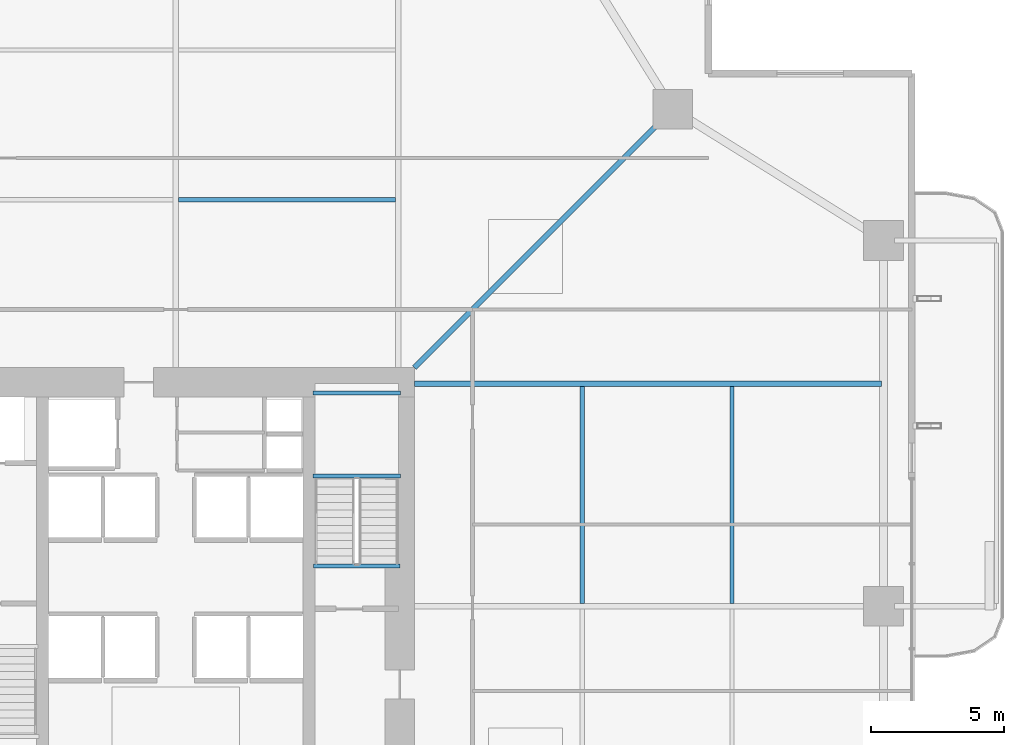
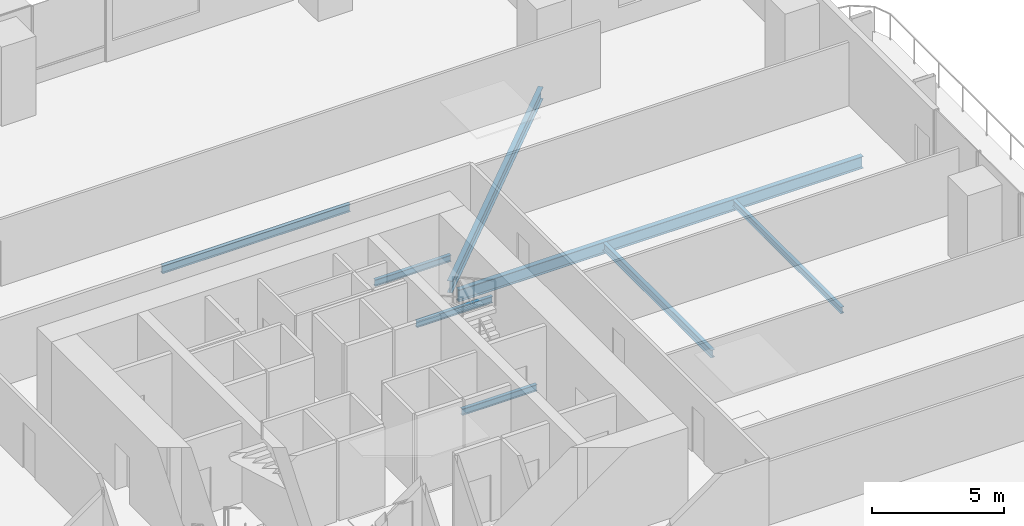
# One storey, part 12 of 24: 8 beams.
"""IFC4 building model written with IfcOpenShell, lengths in metres."""

from ifc_helpers import new_model, si_unit, direction, frame, origin, origin_2d, place, context, subcontext, project, spatial, i_section, extrude, material, material_profile, profile_set, type_object, element, save


model = new_model("IFC4")

# Units and contexts
model_context = context("Model", 3, precision=1e-05, world=origin(), true_north=direction((0.0, 1.0)))
body_context = subcontext(model_context, "Body", "Model", "MODEL_VIEW")
ifc_project = project(units=[si_unit("LENGTHUNIT", "METRE"), si_unit("AREAUNIT", "SQUARE_METRE"), si_unit("VOLUMEUNIT", "CUBIC_METRE"), si_unit("PLANEANGLEUNIT", "RADIAN"), si_unit("MASSUNIT", "GRAM", prefix="KILO")], contexts=[model_context])

# Site, building, storey
site_placement = place(None, origin())
site = spatial("IfcSite", under=ifc_project, at=site_placement, CompositionType="ELEMENT")
building_placement = place(site_placement, origin())
building = spatial("IfcBuilding", under=site, at=building_placement, Name="Belovzor Exchange Tower", CompositionType="ELEMENT")
storey_placement = place(building_placement, frame((0.0, 0.0, 92.39990234375)))
storey = spatial("IfcBuildingStorey", under=building, at=storey_placement, Name="L22", CompositionType="ELEMENT", Elevation=92.39990234375)

# Beams
ifc_material_1 = material(Name="Steel S355", Category="steel")
ifc_material_profile_1 = material_profile(ifc_material_1, i_section(OverallWidth=0.169921875, OverallDepth=0.360107421875, WebThickness=0.008056640625, FlangeThickness=0.0126953125, at=origin_2d()))
ifc_profile_set_1 = profile_set([ifc_material_profile_1], Name="Steel S355")
beam_type_1 = type_object("IfcBeamType", Name="Secondary Infill Floor Joist IPE 360", PredefinedType="BEAM", material=ifc_profile_set_1)
for number, where, z_axis, x_axis, name in (
    (1, (28.905029296875, 44.14501953125, -0.429931640625), (1.0, 0.0, 0.0), (0.0, 1.0, 0.0), "FJ-360 Secondary Infill Floor Joist IPE 360"),
    (2, (44.14501953125, 28.905029296875, -0.429931640625), (0.0, 1.0, 0.0), (-1.0, 0.0, 0.0), "FJ-360 Secondary Infill Floor Joist IPE 360"),
):
    element("IfcBeam", number, at=place(storey_placement, frame(where, z_axis=z_axis, x_axis=x_axis)), inside=storey, type_object=beam_type_1, Name=name, PredefinedType="BEAM", context=body_context, shape_type="SweptSolid", body=[
        extrude(i_section(OverallWidth=0.169921875, OverallDepth=0.360107421875, WebThickness=0.008056640625, FlangeThickness=0.0126953125, at=origin_2d()), origin(), (0.0, 0.0, 1.0), 8.18994140625),
    ])
ifc_material_2 = material(Name="Steel S355", Category="steel")
ifc_material_profile_2 = material_profile(ifc_material_2, i_section(OverallWidth=0.14990234375, OverallDepth=0.300048828125, WebThickness=0.007080078125, FlangeThickness=0.0107421875, at=origin_2d()))
ifc_profile_set_2 = profile_set([ifc_material_profile_2], Name="Steel S355")
beam_type_2 = type_object("IfcBeamType", Name="Secondary Trim Floor Joist IPE 300", PredefinedType="BEAM", material=ifc_profile_set_2)
for number, where, z_axis, x_axis, name in (
    (3, (37.280029296875, 33.7099609375, 1.60009765625), (-1.0, 0.0, 0.0), (0.0, -1.0, 0.0), "FJ-300 Secondary Trim Floor Joist IPE 300"),
    (4, (37.280029296875, 36.85009765625, 1.60009765625), (-1.0, 0.0, 0.0), (0.0, -1.0, 0.0), "FJ-300 Secondary Trim Floor Joist IPE 300"),
):
    element("IfcBeam", number, at=place(storey_placement, frame(where, z_axis=z_axis, x_axis=x_axis)), inside=storey, type_object=beam_type_2, Name=name, PredefinedType="BEAM", context=body_context, shape_type="SweptSolid", body=[
        extrude(i_section(OverallWidth=0.14990234375, OverallDepth=0.300048828125, WebThickness=0.007080078125, FlangeThickness=0.0107421875, at=origin_2d()), origin(), (0.0, 0.0, 1.0), 3.31005859375),
    ])
beam_1_placement = place(storey_placement, frame((37.260009765625, 30.320068359375, -0.39990234375), z_axis=(-1.0, 0.0, 0.0), x_axis=(0.0, -1.0, 0.0)))
element("IfcBeam", 5, at=beam_1_placement, inside=storey, type_object=beam_type_2, Name="FJ-300 Secondary Trim Floor Joist IPE 300", PredefinedType="BEAM", context=body_context, shape_type="SweptSolid", body=[
    extrude(i_section(OverallWidth=0.14990234375, OverallDepth=0.300048828125, WebThickness=0.007080078125, FlangeThickness=0.0107421875, at=origin_2d()), origin(), (0.0, 0.0, 1.0), 3.27001953125),
])
beam_2_placement = place(storey_placement, frame((49.784912109375, 28.905029296875, -0.39990234375), z_axis=(0.0, 1.0, 0.0), x_axis=(-1.0, 0.0, 0.0)))
element("IfcBeam", 6, at=beam_2_placement, inside=storey, type_object=beam_type_2, Name="FJ-300 Secondary Trim Floor Joist IPE 300", PredefinedType="BEAM", context=body_context, shape_type="SweptSolid", body=[
    extrude(i_section(OverallWidth=0.14990234375, OverallDepth=0.300048828125, WebThickness=0.007080078125, FlangeThickness=0.0107421875, at=origin_2d()), origin(), (0.0, 0.0, 1.0), 8.18994140625),
])
ifc_material_3 = material(Name="Steel S355", Category="steel")
ifc_material_profile_3 = material_profile(ifc_material_3, i_section(OverallWidth=0.2099609375, OverallDepth=0.550048828125, WebThickness=0.010986328125, FlangeThickness=0.01708984375, at=origin_2d()))
ifc_profile_set_3 = profile_set([ifc_material_profile_3], Name="Steel S355")
beam_type_3 = type_object("IfcBeamType", Name="Zone 1 Radial Composite Floor Beam IPE 550", PredefinedType="BEAM", material=ifc_profile_set_3)
beam_3_placement = place(storey_placement, frame((37.800048828125, 37.199951171875, -0.52490234375), z_axis=(1.0, 0.0, 0.0), x_axis=(0.0, 1.0, 0.0)))
element("IfcBeam", 7, at=beam_3_placement, inside=storey, type_object=beam_type_3, Name="FB-550 Zone 1 Radial Composite Floor Beam IPE 550", PredefinedType="BEAM", context=body_context, shape_type="SweptSolid", body=[
    extrude(i_section(OverallWidth=0.2099609375, OverallDepth=0.550048828125, WebThickness=0.010986328125, FlangeThickness=0.01708984375, at=origin_2d()), origin(), (0.0, 0.0, 1.0), 17.625),
])
beam_4_placement = place(storey_placement, frame((37.800048828125, 37.800048828125, -0.52490234375), z_axis=(0.707106781187, 0.707106781187, 0.0), x_axis=(-0.707106781187, 0.707106781187, 0.0)))
element("IfcBeam", 8, at=beam_4_placement, inside=storey, type_object=beam_type_3, Name="FB-550 Zone 1 Radial Composite Floor Beam IPE 550", PredefinedType="BEAM", context=body_context, shape_type="SweptSolid", body=[
    extrude(i_section(OverallWidth=0.2099609375, OverallDepth=0.550048828125, WebThickness=0.010986328125, FlangeThickness=0.01708984375, at=origin_2d()), origin(), (0.0, 0.0, 1.0), 13.25830078125),
])

save(model, "model.ifc")
